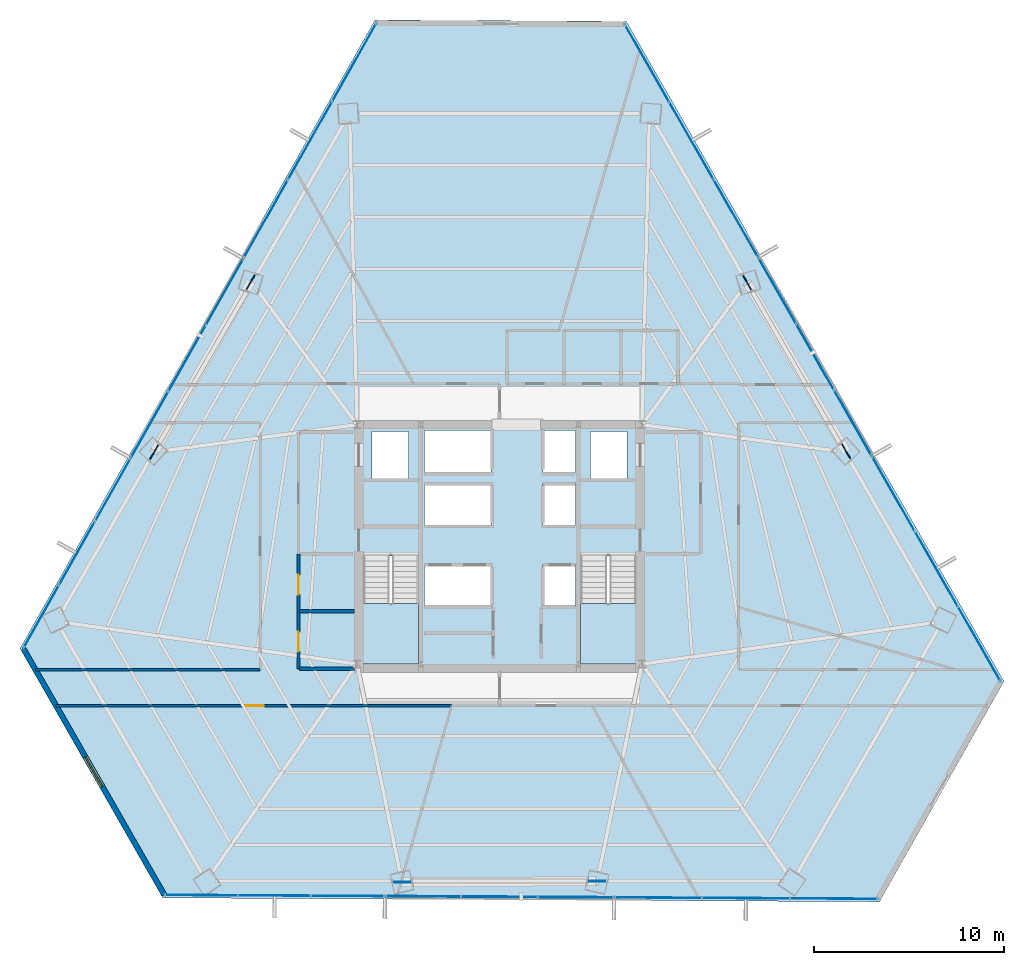
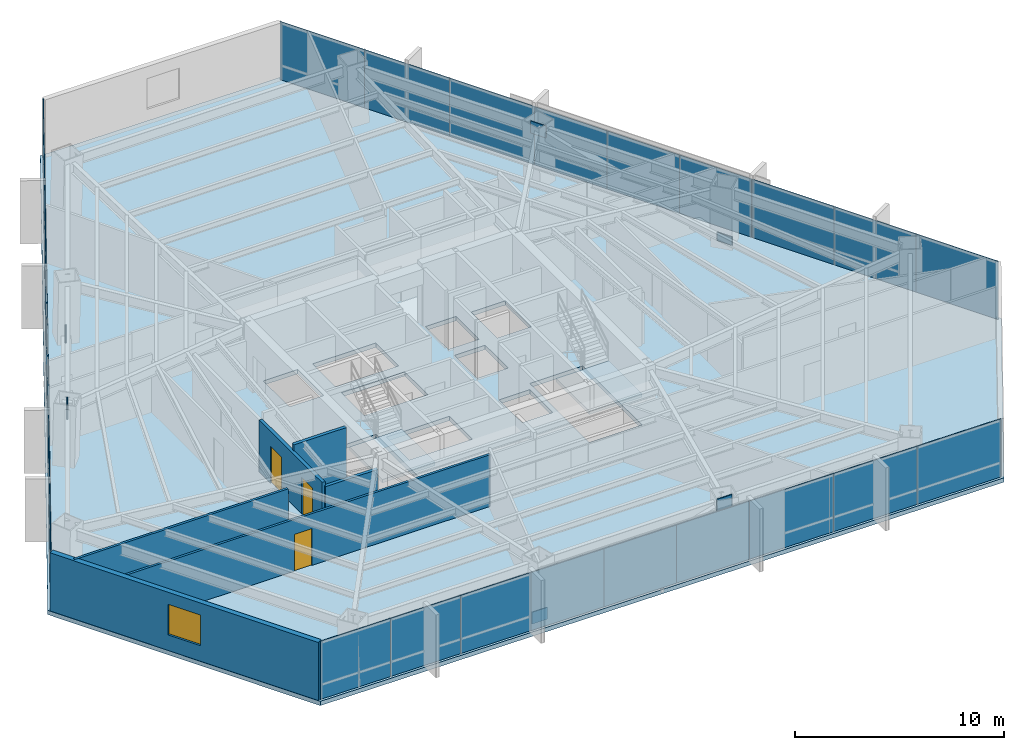
# One storey, part 30 of 36: 33 plates, 6 walls, 3 doors, 3 slabs, 1 window, 4 openings, 11 elements without a shape of their own.
"""IFC4 building model written with IfcOpenShell, lengths in metres."""

import ifcopenshell
import ifcopenshell.guid

model = None  # the IFC model being written
_history = None  # IfcOwnerHistory: only IFC2X3 demands one
_inside = {}  # id of a spatial element -> (the spatial element, [elements in it])
_under = {}  # id of a project, library or spatial element -> (it, [spatial elements below it])
_declared = {}  # id of a project -> (the project, [libraries it declares])
_typed = {}  # id of a type object -> (the type object, [elements of that type])
_made_of = {}  # id of a material, layer set ... -> (it, [elements and type objects made of it])


def new_model(schema):
    """Start an empty IFC model of exactly this schema.

    Asked for "IFC4X3", IfcOpenShell would pick the latest addendum, in which some entities
    have other attributes; the version numbers below select the first issue.
    IFC2X3 requires an IfcOwnerHistory on every rooted entity: one is made here for all.
    """
    global model, _history
    if schema == "IFC4X3":
        model = ifcopenshell.file(schema_version=(4, 3, 0, 0))
    else:
        model = ifcopenshell.file(schema=schema)
    _inside.clear()
    _under.clear()
    _declared.clear()
    _typed.clear()
    _made_of.clear()
    _history = None
    if model.schema == "IFC2X3":
        org = make("IfcOrganization", Name="unknown")
        user = make(
            "IfcPersonAndOrganization",
            ThePerson=make("IfcPerson", FamilyName="unknown"),
            TheOrganization=org,
        )
        app = make(
            "IfcApplication",
            ApplicationDeveloper=org,
            Version="unknown",
            ApplicationFullName="unknown",
            ApplicationIdentifier="unknown",
        )
        _history = make(
            "IfcOwnerHistory",
            OwningUser=user,
            OwningApplication=app,
            ChangeAction="ADDED",
            CreationDate=0,
        )
    return model


def make(cls, **values):
    """One entity of the class cls with the attributes given. An attribute that is None is left unset."""
    return model.create_entity(
        cls, **{name: value for name, value in values.items() if value is not None}
    )


def rooted(cls, **values):
    """An entity with a GlobalId (a new one), such as an element, a storey or a relation."""
    return make(cls, GlobalId=ifcopenshell.guid.new(), OwnerHistory=_history, **values)


def si_unit(unit_type, name, prefix=None):
    """IfcSIUnit, for example si_unit("LENGTHUNIT", "METRE", prefix="MILLI")."""
    return make("IfcSIUnit", UnitType=unit_type, Prefix=prefix, Name=name)


def assignment(units):
    """IfcUnitAssignment: the units of a project."""
    return None if units is None else make("IfcUnitAssignment", Units=units)


def point(xyz):
    """IfcCartesianPoint."""
    return None if xyz is None else make("IfcCartesianPoint", Coordinates=xyz)


def direction(xyz):
    """IfcDirection."""
    return None if xyz is None else make("IfcDirection", DirectionRatios=xyz)


def frame(location, z_axis=None, x_axis=None):
    """IfcAxis2Placement3D, a coordinate frame: its origin and axes. An axis left out is left unset."""
    return make(
        "IfcAxis2Placement3D",
        Location=point(location),
        Axis=direction(z_axis),
        RefDirection=direction(x_axis),
    )


def frame_2d(location, x_axis=None):
    """IfcAxis2Placement2D, a coordinate frame in the plane: its origin and x axis."""
    return make(
        "IfcAxis2Placement2D", Location=point(location), RefDirection=direction(x_axis)
    )


def origin():
    """The frame at (0, 0, 0) with its axes left unset."""
    return frame((0.0, 0.0, 0.0))


def origin_2d():
    """The frame at (0, 0) in the plane with its x axis left unset."""
    return frame_2d((0.0, 0.0))


def place(relative_to, where):
    """IfcLocalPlacement: puts the frame where relative to a parent placement (None: the world)."""
    return make(
        "IfcLocalPlacement", PlacementRelTo=relative_to, RelativePlacement=where
    )


def context(
    kind, dimensions, precision=None, world=None, true_north=None, identifier=None
):
    """IfcGeometricRepresentationContext, for example the 3D "Model" context."""
    return make(
        "IfcGeometricRepresentationContext",
        ContextIdentifier=identifier,
        ContextType=kind,
        CoordinateSpaceDimension=dimensions,
        Precision=precision,
        WorldCoordinateSystem=world,
        TrueNorth=true_north,
    )


def subcontext(parent, identifier, kind, view, scale=None):
    """IfcGeometricRepresentationSubContext, for example "Body" below "Model"."""
    return make(
        "IfcGeometricRepresentationSubContext",
        ContextIdentifier=identifier,
        ContextType=kind,
        ParentContext=parent,
        TargetScale=scale,
        TargetView=view,
    )


def project(units=None, contexts=None):
    """IfcProject with its units and contexts."""
    return rooted(
        "IfcProject",
        Name="project",
        RepresentationContexts=contexts,
        UnitsInContext=assignment(units),
    )


def spatial(cls, under=None, at=None, **own):
    """A site, building, storey or space (cls), placed at a placement, below another one or the project."""
    s = rooted(cls, ObjectPlacement=at, **own)
    if under is not None:
        _under.setdefault(under.id(), (under, []))[1].append(s)
    return s


def polyline(points):
    """IfcPolyline through the points."""
    return make("IfcPolyline", Points=[point(p) for p in points])


def profile(cls, at=None, kind="AREA", **sizes):
    """A parametric profile (cls). Its sizes go by their IFC names, for example OverallWidth=200.0."""
    return make(cls, ProfileType=kind, Position=at, **sizes)


def rectangle(**sizes):
    """IfcRectangleProfileDef."""
    return profile("IfcRectangleProfileDef", **sizes)


def outline(outer, holes=None, kind="AREA"):
    """IfcArbitraryClosedProfileDef: a profile drawn as a closed curve; with holes, ...WithVoids."""
    if holes is None:
        return make("IfcArbitraryClosedProfileDef", ProfileType=kind, OuterCurve=outer)
    return make(
        "IfcArbitraryProfileDefWithVoids",
        ProfileType=kind,
        OuterCurve=outer,
        InnerCurves=holes,
    )


def extrude(swept, where, along, depth):
    """IfcExtrudedAreaSolid: the profile swept, set in the frame where, extruded along a direction by depth."""
    return make(
        "IfcExtrudedAreaSolid",
        SweptArea=swept,
        Position=where,
        ExtrudedDirection=direction(along),
        Depth=depth,
    )


def shape(context_of_items, identifier, shape_type, items):
    """IfcShapeRepresentation: the items that make up one representation, for example the "Body"."""
    return make(
        "IfcShapeRepresentation",
        ContextOfItems=context_of_items,
        RepresentationIdentifier=identifier,
        RepresentationType=shape_type,
        Items=items,
    )


def source(mapping_origin, context_of_items, identifier, shape_type, items):
    """IfcRepresentationMap: a shape defined once, which mapped items show again and again."""
    return make(
        "IfcRepresentationMap",
        MappingOrigin=mapping_origin,
        MappedRepresentation=shape(context_of_items, identifier, shape_type, items),
    )


def transform(
    local_origin,
    x_axis=None,
    y_axis=None,
    z_axis=None,
    scale=None,
    scale2=None,
    scale3=None,
    uniform=True,
):
    """IfcCartesianTransformationOperator3D, or its non-uniform kind. x_axis, y_axis, z_axis: its Axis1, 2, 3."""
    if uniform:
        return make(
            "IfcCartesianTransformationOperator3D",
            Axis1=direction(x_axis),
            Axis2=direction(y_axis),
            LocalOrigin=point(local_origin),
            Scale=scale,
            Axis3=direction(z_axis),
        )
    return make(
        "IfcCartesianTransformationOperator3DnonUniform",
        Axis1=direction(x_axis),
        Axis2=direction(y_axis),
        LocalOrigin=point(local_origin),
        Scale=scale,
        Axis3=direction(z_axis),
        Scale2=scale2,
        Scale3=scale3,
    )


def mapped(mapping_source, mapping_target):
    """IfcMappedItem: shows the shape of a source again, moved by a transform."""
    return make(
        "IfcMappedItem", MappingSource=mapping_source, MappingTarget=mapping_target
    )


def material(Name=None, Category=None):
    """IfcMaterial."""
    return make("IfcMaterial", Name=Name, Category=Category)


def layer(
    of_material, thickness, ventilated=None, Name=None, Category=None, Priority=None
):
    """IfcMaterialLayer: one layer of a wall or slab, of a material (None: an air gap)."""
    return make(
        "IfcMaterialLayer",
        Material=of_material,
        LayerThickness=thickness,
        IsVentilated=ventilated,
        Name=Name,
        Category=Category,
        Priority=Priority,
    )


def layer_set(layers, Name=None):
    """IfcMaterialLayerSet."""
    return make("IfcMaterialLayerSet", MaterialLayers=layers, LayerSetName=Name)


def made_of(thing, what):
    """Note that an element or type object is made of a material, layer set ...; save() writes the relation."""
    if what is not None:
        _made_of.setdefault(what.id(), (what, []))[1].append(thing)
    return thing


def type_object(cls, material=None, **own):
    """A type object (cls), such as IfcWallType, which elements share."""
    return made_of(rooted(cls, **own), material)


def type_shapes(of_type, sources):
    """Give a type object the sources (RepresentationMaps) that its elements show as mapped items."""
    of_type.RepresentationMaps = sources


def element(
    cls,
    number,
    at=None,
    inside=None,
    cuts=None,
    type_object=None,
    material=None,
    context=None,
    identifier="Body",
    shape_type=None,
    held_by="IfcProductDefinitionShape",
    body=None,
    shapes=None,
    **own,
):
    """One element of the class cls, such as IfcWall. Its Tag is "e" and its number.

    at: its placement. inside: the storey or other place that contains it. cuts: it is an
    opening in that element (IfcRelVoidsElement). A single representation is given by context,
    identifier, shape_type and body (its items); several are given by shapes. held_by: the class
    of the entity that holds the representations. save() writes the other relations.
    """
    e = rooted(cls, Tag="e%d" % number, ObjectPlacement=at, **own)
    if body is not None:
        shapes = [shape(context, identifier, shape_type, body)]
    if shapes is not None:
        e.Representation = make(held_by, Representations=shapes)
    if inside is not None:
        _inside.setdefault(inside.id(), (inside, []))[1].append(e)
    if cuts is not None:
        rooted(
            "IfcRelVoidsElement", RelatingBuildingElement=cuts, RelatedOpeningElement=e
        )
    if type_object is not None:
        _typed.setdefault(type_object.id(), (type_object, []))[1].append(e)
    return made_of(e, material)


def fill(opening, filler):
    """IfcRelFillsElement: the door or window that sits in an opening."""
    return rooted(
        "IfcRelFillsElement",
        RelatingOpeningElement=opening,
        RelatedBuildingElement=filler,
    )


def aggregate(whole, parts):
    """IfcRelAggregates: a whole, such as a stair, and the parts it consists of."""
    return rooted("IfcRelAggregates", RelatingObject=whole, RelatedObjects=parts)


def save(model, path):
    """Write the relations noted so far, then the file.

    IfcRelAggregates (storeys below a building ...), IfcRelContainedInSpatialStructure (elements
    in a storey), IfcRelDefinesByType, IfcRelAssociatesMaterial and IfcRelDeclares: one each for
    every whole, place, type object, material and project.
    """
    for whole, parts in _under.values():
        aggregate(whole, parts)
    for where, things in _inside.values():
        rooted(
            "IfcRelContainedInSpatialStructure",
            RelatedElements=things,
            RelatingStructure=where,
        )
    for kind, things in _typed.values():
        rooted("IfcRelDefinesByType", RelatedObjects=things, RelatingType=kind)
    for what, things in _made_of.values():
        rooted("IfcRelAssociatesMaterial", RelatedObjects=things, RelatingMaterial=what)
    for by, libraries in _declared.values():
        rooted("IfcRelDeclares", RelatingContext=by, RelatedDefinitions=libraries)
    model.write(path)


model = new_model("IFC4")

# Units and contexts
model_context = context("Model", 3, precision=1e-05, world=origin(), true_north=direction((0.0, 1.0)))
body_context = subcontext(model_context, "Body", "Model", "MODEL_VIEW")
ifc_project = project(units=[si_unit("LENGTHUNIT", "METRE"), si_unit("AREAUNIT", "SQUARE_METRE"), si_unit("VOLUMEUNIT", "CUBIC_METRE"), si_unit("PLANEANGLEUNIT", "RADIAN"), si_unit("MASSUNIT", "GRAM", prefix="KILO")], contexts=[model_context])

# Site, building, storey
site_placement = place(None, origin())
site = spatial("IfcSite", under=ifc_project, at=site_placement, CompositionType="ELEMENT")
building_placement = place(site_placement, origin())
building = spatial("IfcBuilding", under=site, at=building_placement, Name="Caelisora Broadcast Tower", CompositionType="ELEMENT")
storey_placement = place(building_placement, frame((0.0, 0.0, 83.5)))
storey = spatial("IfcBuildingStorey", under=building, at=storey_placement, Name="L21", CompositionType="ELEMENT", Elevation=83.5)

# Slab
ifc_material_1 = material(Name="Concrete 40 MPa (AS 3600 N40)", Category="concrete")
ifc_layer_1 = layer(ifc_material_1, 0.25, Name="Concrete 40 MPa (AS 3600 N40)")
ifc_layer_set_1 = layer_set([ifc_layer_1], Name="Concrete 40 MPa (AS 3600 N40)")
slab_type_1 = type_object("IfcSlabType", Name="SL04", PredefinedType="FLOOR", material=ifc_layer_set_1)
slab_1_placement = place(storey_placement, frame((0.0, 0.0, -0.25)))
element("IfcSlab", 1, at=slab_1_placement, inside=storey, type_object=slab_type_1, Name="L21 suspended floor SL04", PredefinedType="FLOOR", context=body_context, shape_type="SweptSolid", body=[
    extrude(outline(polyline([(44.678955078125, 51.222900390625), (31.446044921875, 51.2958984375), (12.762939453125, 18.219970703125), (20.27294921875, 5.093994140625), (57.99609375, 4.886962890625), (64.550048828125, 16.489990234375), (44.678955078125, 51.222900390625)]), holes=[polyline([(30.820068359375, 17.39990234375), (33.739990234375, 17.39990234375), (33.739990234375, 23.080078125), (30.820068359375, 23.080078125), (30.820068359375, 17.39990234375)]), polyline([(42.260009765625, 17.39990234375), (45.179931640625, 17.39990234375), (45.179931640625, 23.080078125), (42.260009765625, 23.080078125), (42.260009765625, 17.39990234375)]), polyline([(42.800048828125, 27.14990234375), (44.699951171875, 27.14990234375), (44.699951171875, 29.64990234375), (42.800048828125, 29.64990234375), (42.800048828125, 27.14990234375)]), polyline([(40.300048828125, 20.429931640625), (42.0, 20.429931640625), (42.0, 22.6298828125), (40.300048828125, 22.6298828125), (40.300048828125, 20.429931640625)]), polyline([(40.300048828125, 24.719970703125), (42.0, 24.719970703125), (42.0, 26.919921875), (40.300048828125, 26.919921875), (40.300048828125, 24.719970703125)]), polyline([(40.300048828125, 27.5), (42.0, 27.5), (42.0, 29.699951171875), (40.300048828125, 29.699951171875), (40.300048828125, 27.5)]), polyline([(34.050048828125, 20.429931640625), (37.550048828125, 20.429931640625), (37.550048828125, 22.6298828125), (34.050048828125, 22.6298828125), (34.050048828125, 20.429931640625)]), polyline([(34.050048828125, 24.719970703125), (37.550048828125, 24.719970703125), (37.550048828125, 26.919921875), (34.050048828125, 26.919921875), (34.050048828125, 24.719970703125)]), polyline([(34.050048828125, 27.5), (37.550048828125, 27.5), (37.550048828125, 29.699951171875), (34.050048828125, 29.699951171875), (34.050048828125, 27.5)]), polyline([(31.300048828125, 27.14990234375), (33.199951171875, 27.14990234375), (33.199951171875, 29.64990234375), (31.300048828125, 29.64990234375), (31.300048828125, 27.14990234375)])]), origin(), (0.0, 0.0, 1.0), 0.25),
])

# Stair, slab
stair_type_1 = type_object("IfcStairType", Name="ST-1", PredefinedType="HALF_TURN_STAIR", material=ifc_material_1)
stair_1_placement = place(storey_placement, origin())
stair_1 = element("IfcStair", 2, at=stair_1_placement, inside=storey, type_object=stair_type_1, Name="L21 West Fire-Isolated Tower Stair", PredefinedType="HALF_TURN_STAIR")
ifc_layer_2 = layer(ifc_material_1, 0.199951171875, Name="Concrete 40 MPa (AS 3600 N40)")
ifc_layer_set_2 = layer_set([ifc_layer_2], Name="Concrete 40 MPa (AS 3600 N40)")
slab_type_2 = type_object("IfcSlabType", Name="STL-1", PredefinedType="LANDING", material=ifc_layer_set_2)
slab_2_placement = place(storey_placement, frame((0.0, 0.0, 1.625)))
slab_2 = element("IfcSlab", 3, at=slab_2_placement, type_object=slab_type_2, Name="ST-1 landing 1", PredefinedType="LANDING", context=body_context, shape_type="SweptSolid", body=[
    extrude(outline(polyline([(30.820068359375, 20.580078125), (30.820068359375, 17.39990234375), (33.739990234375, 17.39990234375), (33.739990234375, 20.580078125), (30.820068359375, 20.580078125)])), origin(), (0.0, 0.0, 1.0), 0.199951171875),
])
aggregate(stair_1, [slab_2])

stair_type_2 = type_object("IfcStairType", Name="ST-2", PredefinedType="HALF_TURN_STAIR", material=ifc_material_1)
stair_2_placement = place(storey_placement, origin())
stair_2 = element("IfcStair", 4, at=stair_2_placement, inside=storey, type_object=stair_type_2, Name="L21 East Fire-Isolated Tower Stair", PredefinedType="HALF_TURN_STAIR")
slab_3_placement = place(storey_placement, frame((0.0, 0.0, 1.625)))
slab_3 = element("IfcSlab", 5, at=slab_3_placement, type_object=slab_type_2, Name="ST-2 landing 1", PredefinedType="LANDING", context=body_context, shape_type="SweptSolid", body=[
    extrude(outline(polyline([(42.260009765625, 20.580078125), (42.260009765625, 17.39990234375), (45.179931640625, 17.39990234375), (45.179931640625, 20.580078125), (42.260009765625, 20.580078125)])), origin(), (0.0, 0.0, 1.0), 0.199951171875),
])
aggregate(stair_2, [slab_3])

# Plates
ifc_material_2 = material(Name="Steel Grade 350 L15 (AS/NZS 3678)", Category="steel")
ifc_layer_3 = layer(ifc_material_2, 0.050048828125, Name="Steel Grade 350 L15 (AS/NZS 3678)")
ifc_layer_set_3 = layer_set([ifc_layer_3], Name="Steel Grade 350 L15 (AS/NZS 3678)")
plate_type_1 = type_object("IfcPlateType", Name="GP03", PredefinedType="USERDEFINED", material=ifc_layer_set_3)
shared_shape_1 = source(origin(), body_context, "Body", "SweptSolid", [
    extrude(rectangle(XDim=0.85009765625, YDim=0.050048828125, at=origin_2d()), origin(), (0.0, 0.0, 1.0), 0.699951171875),
])
type_shapes(plate_type_1, [shared_shape_1])
for number, where, z_axis, x_axis, name in (
    (6, (24.8955078125, 37.48779296875, -0.22998046875), (0.0, 0.0, 1.0), (-0.5, -0.866025403784, 0.0), "L21 gusset plate GP03 (ND-L21-C02B)"),
    (7, (19.8212890625, 28.5546875, 2.72998046875), (0.0, 0.0, 1.0), (-0.5, -0.866025403784, 0.0), "L21 gusset plate GP03 (ND-L21-C03T)"),
    (8, (32.87158203125, 5.9072265625, -0.22998046875), (0.0, 0.0, 1.0), (1.0, 0.0, 0.0), "L21 gusset plate GP03 (ND-L21-C06B)"),
    (9, (43.144775390625, 5.9794921875, 2.72998046875), (0.0, 0.0, 1.0), (1.0, 0.0, 0.0), "L21 gusset plate GP03 (ND-L21-C07T)"),
    (10, (56.23291015625, 28.60498046875, -0.22998046875), (0.0, 0.0, 1.0), (-0.5, 0.866025403784, 0.0), "L21 gusset plate GP03 (ND-L21-C10B)"),
    (11, (51.03369140625, 37.4658203125, 2.72998046875), (0.0, 0.0, 1.0), (-0.5, 0.866025403784, 0.0), "L21 gusset plate GP03 (ND-L21-C11T)"),
):
    element("IfcPlate", number, at=place(storey_placement, frame(where, z_axis=z_axis, x_axis=x_axis)), inside=storey, type_object=plate_type_1, Name=name, ObjectType="GUSSET PLATE", PredefinedType="USERDEFINED", context=body_context, shape_type="MappedRepresentation", body=[
        mapped(shared_shape_1, transform((0.0, 0.0, 0.0), scale=1.0)),
    ])

# Curtain wall, plates
ifc_material_3 = material(Name="Unitised Aluminium and Low-E Glass Curtain Wall", Category="glass")
curtain_wall_type_1 = type_object("IfcCurtainWallType", Name="CW-Z2", PredefinedType="NOTDEFINED", material=ifc_material_3)
curtain_wall_1_placement = place(storey_placement, origin())
curtain_wall_1 = element("IfcCurtainWall", 12, at=curtain_wall_1_placement, inside=storey, type_object=curtain_wall_type_1, Name="L21 curtain wall CW-Z2", PredefinedType="NOTDEFINED")
ifc_material_4 = material(Name="Double Glazed Low-E Argon IGU", Category="glass")
ifc_layer_4 = layer(ifc_material_4, 0.033935546875, Name="Double Glazed Low-E Argon IGU")
ifc_layer_set_4 = layer_set([ifc_layer_4], Name="Double Glazed Low-E Argon IGU")
plate_type_2 = type_object("IfcPlateType", Name="CWP-03", PredefinedType="CURTAIN_PANEL", material=ifc_layer_set_4)
shared_shape_2 = source(origin(), body_context, "Body", "SweptSolid", [
    extrude(rectangle(XDim=4.70703125, YDim=0.033935546875, at=origin_2d()), origin(), (0.0, 0.0, 1.0), 3.39990234375),
])
plate_1_placement = place(storey_placement, frame((45.7607421875, 49.0302734375, 0.0), z_axis=(0.0, 0.0, 1.0), x_axis=(0.496519531995, -0.868025549363, 0.0)))
plate_1 = element("IfcPlate", 13, at=plate_1_placement, type_object=plate_type_2, Name="L21-CW-B01 glazed panel #1", PredefinedType="CURTAIN_PANEL", context=body_context, shape_type="MappedRepresentation", body=[
    mapped(shared_shape_2, transform((0.0, 0.0, 0.0), scale=1.0)),
])
plate_2_placement = place(storey_placement, frame((48.09814453125, 44.944580078125, 0.0), z_axis=(0.0, 0.0, 1.0), x_axis=(0.496519531995, -0.868025549363, 0.0)))
plate_2 = element("IfcPlate", 14, at=plate_2_placement, type_object=plate_type_2, Name="L21-CW-B01 glazed panel #2", PredefinedType="CURTAIN_PANEL", context=body_context, shape_type="MappedRepresentation", body=[
    mapped(shared_shape_2, transform((0.0, 0.0, 0.0), scale=1.0)),
])
plate_3_placement = place(storey_placement, frame((50.435546875, 40.85888671875, 0.0), z_axis=(0.0, 0.0, 1.0), x_axis=(0.496519531995, -0.868025549363, 0.0)))
plate_3 = element("IfcPlate", 15, at=plate_3_placement, type_object=plate_type_2, Name="L21-CW-B01 glazed panel #3", PredefinedType="CURTAIN_PANEL", context=body_context, shape_type="MappedRepresentation", body=[
    mapped(shared_shape_2, transform((0.0, 0.0, 0.0), scale=1.0)),
])
aggregate(curtain_wall_1, [plate_1, plate_2, plate_3])

ifc_material_5 = material(Name="Unitised Aluminium Insulated Shadow-Box Spandrel Curtain Wall", Category="aluminium")
curtain_wall_type_2 = type_object("IfcCurtainWallType", Name="CW-SP1", PredefinedType="NOTDEFINED", material=ifc_material_5)
curtain_wall_2_placement = place(storey_placement, origin())
curtain_wall_2 = element("IfcCurtainWall", 16, at=curtain_wall_2_placement, inside=storey, type_object=curtain_wall_type_2, Name="L21 curtain wall CW-SP1", PredefinedType="NOTDEFINED")
ifc_material_6 = material(Name="Insulated Terracotta Shadow-Box Spandrel Panel", Category="aluminium")
ifc_layer_5 = layer(ifc_material_6, 0.0439453125, Name="Insulated Terracotta Shadow-Box Spandrel Panel")
ifc_layer_set_5 = layer_set([ifc_layer_5], Name="Insulated Terracotta Shadow-Box Spandrel Panel")
plate_type_3 = type_object("IfcPlateType", Name="CWP-10", PredefinedType="CURTAIN_PANEL", material=ifc_layer_set_5)
shared_shape_3 = source(origin(), body_context, "Body", "SweptSolid", [
    extrude(rectangle(XDim=4.015625, YDim=0.0439453125, at=origin_2d()), origin(), (0.0, 0.0, 1.0), 3.39990234375),
])
plate_4_placement = place(storey_placement, frame((52.606201171875, 37.064697265625, 0.0), z_axis=(0.0, 0.0, 1.0), x_axis=(0.496519531995, -0.868025549363, 0.0)))
plate_4 = element("IfcPlate", 17, at=plate_4_placement, type_object=plate_type_3, Name="L21-CW-B02 spandrel panel #1", PredefinedType="CURTAIN_PANEL", context=body_context, shape_type="MappedRepresentation", body=[
    mapped(shared_shape_3, transform((0.0, 0.0, 0.0), scale=1.0)),
])
plate_5_placement = place(storey_placement, frame((54.60009765625, 33.579345703125, 0.0), z_axis=(0.0, 0.0, 1.0), x_axis=(0.496519531995, -0.868025549363, 0.0)))
plate_5 = element("IfcPlate", 18, at=plate_5_placement, type_object=plate_type_3, Name="L21-CW-B02 spandrel panel #2", PredefinedType="CURTAIN_PANEL", context=body_context, shape_type="MappedRepresentation", body=[
    mapped(shared_shape_3, transform((0.0, 0.0, 0.0), scale=1.0)),
])
plate_6_placement = place(storey_placement, frame((56.59423828125, 30.09375, 0.0), z_axis=(0.0, 0.0, 1.0), x_axis=(0.496519531995, -0.868025549363, 0.0)))
plate_6 = element("IfcPlate", 19, at=plate_6_placement, type_object=plate_type_3, Name="L21-CW-B02 spandrel panel #3", PredefinedType="CURTAIN_PANEL", context=body_context, shape_type="MappedRepresentation", body=[
    mapped(shared_shape_3, transform((0.0, 0.0, 0.0), scale=1.0)),
])
aggregate(curtain_wall_2, [plate_4, plate_5, plate_6])

curtain_wall_3_placement = place(storey_placement, origin())
curtain_wall_3 = element("IfcCurtainWall", 20, at=curtain_wall_3_placement, inside=storey, type_object=curtain_wall_type_1, Name="L21 curtain wall CW-Z2", PredefinedType="NOTDEFINED")
shared_shape_4 = source(origin(), body_context, "Body", "SweptSolid", [
    extrude(rectangle(XDim=4.551513671875, YDim=0.033935546875, at=origin_2d()), origin(), (0.0, 0.0, 1.0), 3.39990234375),
])
plate_7_placement = place(storey_placement, frame((58.726318359375, 26.366943359375, 0.0), z_axis=(0.0, 0.0, 1.0), x_axis=(0.496519531995, -0.868025549363, 0.0)))
plate_7 = element("IfcPlate", 21, at=plate_7_placement, type_object=plate_type_2, Name="L21-CW-B03 glazed panel #1", PredefinedType="CURTAIN_PANEL", context=body_context, shape_type="MappedRepresentation", body=[
    mapped(shared_shape_4, transform((0.0, 0.0, 0.0), scale=1.0)),
])
plate_8_placement = place(storey_placement, frame((60.986572265625, 22.416259765625, 0.0), z_axis=(0.0, 0.0, 1.0), x_axis=(0.496519531995, -0.868025549363, 0.0)))
plate_8 = element("IfcPlate", 22, at=plate_8_placement, type_object=plate_type_2, Name="L21-CW-B03 glazed panel #2", PredefinedType="CURTAIN_PANEL", context=body_context, shape_type="MappedRepresentation", body=[
    mapped(shared_shape_4, transform((0.0, 0.0, 0.0), scale=1.0)),
])
plate_9_placement = place(storey_placement, frame((63.246826171875, 18.46533203125, 0.0), z_axis=(0.0, 0.0, 1.0), x_axis=(0.496519531995, -0.868025549363, 0.0)))
plate_9 = element("IfcPlate", 23, at=plate_9_placement, type_object=plate_type_2, Name="L21-CW-B03 glazed panel #3", PredefinedType="CURTAIN_PANEL", context=body_context, shape_type="MappedRepresentation", body=[
    mapped(shared_shape_4, transform((0.0, 0.0, 0.0), scale=1.0)),
])
aggregate(curtain_wall_3, [plate_7, plate_8, plate_9])

curtain_wall_4_placement = place(storey_placement, origin())
curtain_wall_4 = element("IfcCurtainWall", 24, at=curtain_wall_4_placement, inside=storey, type_object=curtain_wall_type_1, Name="L21 curtain wall CW-Z2", PredefinedType="NOTDEFINED")
shared_shape_5 = source(origin(), body_context, "Body", "SweptSolid", [
    extrude(rectangle(XDim=4.626708984375, YDim=0.033935546875, at=origin_2d()), origin(), (0.0, 0.0, 1.0), 3.39990234375),
])
plate_10_placement = place(storey_placement, frame((55.595703125, 5.0498046875, 0.0), z_axis=(0.0, 0.0, 1.0), x_axis=(-0.999984403629, 0.005585024571, 0.0)))
plate_10 = element("IfcPlate", 25, at=plate_10_placement, type_object=plate_type_2, Name="L21-CW-B05 glazed panel #1", PredefinedType="CURTAIN_PANEL", context=body_context, shape_type="MappedRepresentation", body=[
    mapped(shared_shape_5, transform((0.0, 0.0, 0.0), scale=1.0)),
])
plate_11_placement = place(storey_placement, frame((50.968994140625, 5.0751953125, 0.0), z_axis=(0.0, 0.0, 1.0), x_axis=(-0.999984403629, 0.005585024571, 0.0)))
plate_11 = element("IfcPlate", 26, at=plate_11_placement, type_object=plate_type_2, Name="L21-CW-B05 glazed panel #2", PredefinedType="CURTAIN_PANEL", context=body_context, shape_type="MappedRepresentation", body=[
    mapped(shared_shape_5, transform((0.0, 0.0, 0.0), scale=1.0)),
])
plate_12_placement = place(storey_placement, frame((46.34228515625, 5.100830078125, 0.0), z_axis=(0.0, 0.0, 1.0), x_axis=(-0.999984403629, 0.005585024571, 0.0)))
plate_12 = element("IfcPlate", 27, at=plate_12_placement, type_object=plate_type_2, Name="L21-CW-B05 glazed panel #3", PredefinedType="CURTAIN_PANEL", context=body_context, shape_type="MappedRepresentation", body=[
    mapped(shared_shape_5, transform((0.0, 0.0, 0.0), scale=1.0)),
])
aggregate(curtain_wall_4, [plate_10, plate_11, plate_12])

curtain_wall_5_placement = place(storey_placement, origin())
curtain_wall_5 = element("IfcCurtainWall", 28, at=curtain_wall_5_placement, inside=storey, type_object=curtain_wall_type_2, Name="L21 curtain wall CW-SP1", PredefinedType="NOTDEFINED")
shared_shape_6 = source(origin(), body_context, "Body", "SweptSolid", [
    extrude(rectangle(XDim=4.015380859375, YDim=0.0439453125, at=origin_2d()), origin(), (0.0, 0.0, 1.0), 3.39990234375),
])
type_shapes(plate_type_3, [shared_shape_3, shared_shape_6])
plate_13_placement = place(storey_placement, frame((42.01123046875, 5.12451171875, 0.0), z_axis=(0.0, 0.0, 1.0), x_axis=(-0.999984403629, 0.005585024571, 0.0)))
plate_13 = element("IfcPlate", 29, at=plate_13_placement, type_object=plate_type_3, Name="L21-CW-B06 spandrel panel #1", PredefinedType="CURTAIN_PANEL", context=body_context, shape_type="MappedRepresentation", body=[
    mapped(shared_shape_6, transform((0.0, 0.0, 0.0), scale=1.0)),
])
plate_14_placement = place(storey_placement, frame((37.995849609375, 5.146728515625, 0.0), z_axis=(0.0, 0.0, 1.0), x_axis=(-0.999984403629, 0.005585024571, 0.0)))
plate_14 = element("IfcPlate", 30, at=plate_14_placement, type_object=plate_type_3, Name="L21-CW-B06 spandrel panel #2", PredefinedType="CURTAIN_PANEL", context=body_context, shape_type="MappedRepresentation", body=[
    mapped(shared_shape_6, transform((0.0, 0.0, 0.0), scale=1.0)),
])
plate_15_placement = place(storey_placement, frame((33.980224609375, 5.1689453125, 0.0), z_axis=(0.0, 0.0, 1.0), x_axis=(-0.999984403629, 0.005585024571, 0.0)))
plate_15 = element("IfcPlate", 31, at=plate_15_placement, type_object=plate_type_3, Name="L21-CW-B06 spandrel panel #3", PredefinedType="CURTAIN_PANEL", context=body_context, shape_type="MappedRepresentation", body=[
    mapped(shared_shape_6, transform((0.0, 0.0, 0.0), scale=1.0)),
])
aggregate(curtain_wall_5, [plate_13, plate_14, plate_15])

curtain_wall_6_placement = place(storey_placement, origin())
curtain_wall_6 = element("IfcCurtainWall", 32, at=curtain_wall_6_placement, inside=storey, type_object=curtain_wall_type_2, Name="L21 curtain wall CW-SP1", PredefinedType="NOTDEFINED")
plate_16_placement = place(storey_placement, frame((19.582275390625, 29.9873046875, 0.0), z_axis=(0.0, 0.0, 1.0), x_axis=(0.49181581725, 0.870699260309, 0.0)))
plate_16 = element("IfcPlate", 33, at=plate_16_placement, type_object=plate_type_3, Name="L21-CW-B10 spandrel panel #1", PredefinedType="CURTAIN_PANEL", context=body_context, shape_type="MappedRepresentation", body=[
    mapped(shared_shape_6, transform((0.0, 0.0, 0.0), scale=1.0)),
])
plate_17_placement = place(storey_placement, frame((21.55712890625, 33.483642578125, 0.0), z_axis=(0.0, 0.0, 1.0), x_axis=(0.49181581725, 0.870699260309, 0.0)))
plate_17 = element("IfcPlate", 34, at=plate_17_placement, type_object=plate_type_3, Name="L21-CW-B10 spandrel panel #2", PredefinedType="CURTAIN_PANEL", context=body_context, shape_type="MappedRepresentation", body=[
    mapped(shared_shape_6, transform((0.0, 0.0, 0.0), scale=1.0)),
])
plate_18_placement = place(storey_placement, frame((23.53173828125, 36.97998046875, 0.0), z_axis=(0.0, 0.0, 1.0), x_axis=(0.49181581725, 0.870699260309, 0.0)))
plate_18 = element("IfcPlate", 35, at=plate_18_placement, type_object=plate_type_3, Name="L21-CW-B10 spandrel panel #3", PredefinedType="CURTAIN_PANEL", context=body_context, shape_type="MappedRepresentation", body=[
    mapped(shared_shape_6, transform((0.0, 0.0, 0.0), scale=1.0)),
])
aggregate(curtain_wall_6, [plate_16, plate_17, plate_18])

curtain_wall_7_placement = place(storey_placement, origin())
curtain_wall_7 = element("IfcCurtainWall", 36, at=curtain_wall_7_placement, inside=storey, type_object=curtain_wall_type_1, Name="L21 curtain wall CW-Z2", PredefinedType="NOTDEFINED")
shared_shape_7 = source(origin(), body_context, "Body", "SweptSolid", [
    extrude(rectangle(XDim=3.86767578125, YDim=0.033935546875, at=origin_2d()), origin(), (0.0, 0.0, 1.0), 3.39990234375),
])
plate_19_placement = place(storey_placement, frame((30.02880859375, 5.190673828125, 0.0), z_axis=(0.0, 0.0, 1.0), x_axis=(-0.999984403629, 0.005585024571, 0.0)))
plate_19 = element("IfcPlate", 37, at=plate_19_placement, type_object=plate_type_2, Name="L21-CW-B07 glazed panel #1", PredefinedType="CURTAIN_PANEL", context=body_context, shape_type="MappedRepresentation", body=[
    mapped(shared_shape_7, transform((0.0, 0.0, 0.0), scale=1.0)),
])
plate_20_placement = place(storey_placement, frame((26.161376953125, 5.2119140625, 0.0), z_axis=(0.0, 0.0, 1.0), x_axis=(-0.999984403629, 0.005585024571, 0.0)))
plate_20 = element("IfcPlate", 38, at=plate_20_placement, type_object=plate_type_2, Name="L21-CW-B07 glazed panel #2", PredefinedType="CURTAIN_PANEL", context=body_context, shape_type="MappedRepresentation", body=[
    mapped(shared_shape_7, transform((0.0, 0.0, 0.0), scale=1.0)),
])
plate_21_placement = place(storey_placement, frame((22.293701171875, 5.2333984375, 0.0), z_axis=(0.0, 0.0, 1.0), x_axis=(-0.999984403629, 0.005585024571, 0.0)))
plate_21 = element("IfcPlate", 39, at=plate_21_placement, type_object=plate_type_2, Name="L21-CW-B07 glazed panel #3", PredefinedType="CURTAIN_PANEL", context=body_context, shape_type="MappedRepresentation", body=[
    mapped(shared_shape_7, transform((0.0, 0.0, 0.0), scale=1.0)),
])
aggregate(curtain_wall_7, [plate_19, plate_20, plate_21])

curtain_wall_8_placement = place(storey_placement, origin())
curtain_wall_8 = element("IfcCurtainWall", 40, at=curtain_wall_8_placement, inside=storey, type_object=curtain_wall_type_1, Name="L21 curtain wall CW-Z2", PredefinedType="NOTDEFINED")
shared_shape_8 = source(origin(), body_context, "Body", "SweptSolid", [
    extrude(rectangle(XDim=3.832275390625, YDim=0.033935546875, at=origin_2d()), origin(), (0.0, 0.0, 1.0), 3.39990234375),
])
plate_22_placement = place(storey_placement, frame((13.87841796875, 19.888427734375, 0.0), z_axis=(0.0, 0.0, 1.0), x_axis=(0.49181581725, 0.870699260309, 0.0)))
plate_22 = element("IfcPlate", 41, at=plate_22_placement, type_object=plate_type_2, Name="L21-CW-B09 glazed panel #1", PredefinedType="CURTAIN_PANEL", context=body_context, shape_type="MappedRepresentation", body=[
    mapped(shared_shape_8, transform((0.0, 0.0, 0.0), scale=1.0)),
])
plate_23_placement = place(storey_placement, frame((15.762939453125, 23.22509765625, 0.0), z_axis=(0.0, 0.0, 1.0), x_axis=(0.49181581725, 0.870699260309, 0.0)))
plate_23 = element("IfcPlate", 42, at=plate_23_placement, type_object=plate_type_2, Name="L21-CW-B09 glazed panel #2", PredefinedType="CURTAIN_PANEL", context=body_context, shape_type="MappedRepresentation", body=[
    mapped(shared_shape_8, transform((0.0, 0.0, 0.0), scale=1.0)),
])
plate_24_placement = place(storey_placement, frame((17.647705078125, 26.56201171875, 0.0), z_axis=(0.0, 0.0, 1.0), x_axis=(0.49181581725, 0.870699260309, 0.0)))
plate_24 = element("IfcPlate", 43, at=plate_24_placement, type_object=plate_type_2, Name="L21-CW-B09 glazed panel #3", PredefinedType="CURTAIN_PANEL", context=body_context, shape_type="MappedRepresentation", body=[
    mapped(shared_shape_8, transform((0.0, 0.0, 0.0), scale=1.0)),
])
aggregate(curtain_wall_8, [plate_22, plate_23, plate_24])

curtain_wall_9_placement = place(storey_placement, origin())
curtain_wall_9 = element("IfcCurtainWall", 44, at=curtain_wall_9_placement, inside=storey, type_object=curtain_wall_type_1, Name="L21 curtain wall CW-Z2", PredefinedType="NOTDEFINED")
shared_shape_9 = source(origin(), body_context, "Body", "SweptSolid", [
    extrude(rectangle(XDim=4.75048828125, YDim=0.033935546875, at=origin_2d()), origin(), (0.0, 0.0, 1.0), 3.39990234375),
])
type_shapes(plate_type_2, [shared_shape_2, shared_shape_4, shared_shape_5, shared_shape_7, shared_shape_8, shared_shape_9])
plate_25_placement = place(storey_placement, frame((25.6923828125, 40.804931640625, 0.0), z_axis=(0.0, 0.0, 1.0), x_axis=(0.49181581725, 0.870699260309, 0.0)))
plate_25 = element("IfcPlate", 45, at=plate_25_placement, type_object=plate_type_2, Name="L21-CW-B11 glazed panel #1", PredefinedType="CURTAIN_PANEL", context=body_context, shape_type="MappedRepresentation", body=[
    mapped(shared_shape_9, transform((0.0, 0.0, 0.0), scale=1.0)),
])
plate_26_placement = place(storey_placement, frame((28.028564453125, 44.94140625, 0.0), z_axis=(0.0, 0.0, 1.0), x_axis=(0.49181581725, 0.870699260309, 0.0)))
plate_26 = element("IfcPlate", 46, at=plate_26_placement, type_object=plate_type_2, Name="L21-CW-B11 glazed panel #2", PredefinedType="CURTAIN_PANEL", context=body_context, shape_type="MappedRepresentation", body=[
    mapped(shared_shape_9, transform((0.0, 0.0, 0.0), scale=1.0)),
])
plate_27_placement = place(storey_placement, frame((30.364990234375, 49.077880859375, 0.0), z_axis=(0.0, 0.0, 1.0), x_axis=(0.49181581725, 0.870699260309, 0.0)))
plate_27 = element("IfcPlate", 47, at=plate_27_placement, type_object=plate_type_2, Name="L21-CW-B11 glazed panel #3", PredefinedType="CURTAIN_PANEL", context=body_context, shape_type="MappedRepresentation", body=[
    mapped(shared_shape_9, transform((0.0, 0.0, 0.0), scale=1.0)),
])
aggregate(curtain_wall_9, [plate_25, plate_26, plate_27])

# Wall, opening, window
ifc_material_7 = material(Name="Insulated Terracotta Spandrel Wall System", Category="masonry")
ifc_layer_6 = layer(ifc_material_7, 0.280029296875, Name="Insulated Terracotta Spandrel Wall System")
ifc_layer_set_6 = layer_set([ifc_layer_6], Name="Insulated Terracotta Spandrel Wall System")
wall_type_1 = type_object("IfcWallType", Name="EW1", PredefinedType="STANDARD", material=ifc_layer_set_6)
wall_1_placement = place(storey_placement, frame((20.34521484375, 5.27001953125, 0.0), z_axis=(0.0, 0.0, 1.0), x_axis=(-0.496599735256, 0.867979667356, 0.0)))
wall_1 = element("IfcWall", 48, at=wall_1_placement, inside=storey, type_object=wall_type_1, Name="L21 exterior envelope wall EW1", PredefinedType="STANDARD", context=body_context, shape_type="SweptSolid", body=[
    extrude(rectangle(XDim=14.889892578125, YDim=0.280029296875, at=frame_2d((7.44482421875, 0.0))), origin(), (0.0, 0.0, 1.0), 3.39990234375),
])
opening_1_placement = place(wall_1_placement, frame((6.5400390625, 0.0, 0.89990234375)))
opening_1 = element("IfcOpeningElement", 49, at=opening_1_placement, cuts=wall_1, Name="Opening W01", PredefinedType="OPENING", context=body_context, shape_type="SweptSolid", body=[
    extrude(rectangle(XDim=1.800048828125, YDim=1.800048828125, at=frame_2d((0.89990234375, 0.89990234375))), frame((0.0, 0.152099609375, 0.0), z_axis=(0.0, -1.0, 0.0), x_axis=(1.0, 0.0, 0.0)), (0.0, 0.0, 1.0), 0.303955078125),
])
ifc_material_8 = material(Name="Double Glazed Terracotta-Framed Vision Window", Category="glass")
window_type = type_object("IfcWindowType", Name="W01", PartitioningType="SINGLE_PANEL", PredefinedType="WINDOW", material=ifc_material_8)
window_placement = place(opening_1_placement, origin())
window = element("IfcWindow", 50, at=window_placement, inside=storey, type_object=window_type, Name="L21 window W01 (L21-WN-CH4)", OverallHeight=1.800048828125, OverallWidth=1.800048828125, PartitioningType="SINGLE_PANEL", PredefinedType="WINDOW", context=body_context, shape_type="SweptSolid", body=[
    extrude(rectangle(XDim=1.800048828125, YDim=1.800048828125, at=frame_2d((0.89990234375, 0.89990234375))), frame((0.0, 0.030029296875, 0.0), z_axis=(0.0, -1.0, 0.0), x_axis=(1.0, 0.0, 0.0)), (0.0, 0.0, 1.0), 0.06005859375),
])
fill(opening_1, window)

# Wall
ifc_material_9 = material(Name="Fire-Rated Gypsum Shaft and Compartment Wall", Category="gypsum")
ifc_layer_7 = layer(ifc_material_9, 0.179931640625, Name="Fire-Rated Gypsum Shaft and Compartment Wall")
ifc_layer_set_7 = layer_set([ifc_layer_7], Name="Fire-Rated Gypsum Shaft and Compartment Wall")
wall_type_2 = type_object("IfcWallType", Name="PW2", PredefinedType="PARTITIONING", material=ifc_layer_set_7)
wall_2_placement = place(storey_placement, frame((27.47998046875, 20.169921875, 0.0), z_axis=(0.0, 0.0, 1.0), x_axis=(1.0, 0.0, 0.0)))
element("IfcWall", 51, at=wall_2_placement, inside=storey, type_object=wall_type_2, Name="L21 fire compartment wall PW2", PredefinedType="PARTITIONING", context=body_context, shape_type="SweptSolid", body=[
    extrude(rectangle(XDim=2.89990234375, YDim=0.179931640625, at=frame_2d((1.449951171875, 0.0))), origin(), (0.0, 0.0, 1.0), 3.39990234375),
])

# Wall, openings, doors
wall_3_placement = place(storey_placement, frame((27.419921875, 17.14990234375, 0.0), z_axis=(0.0, 0.0, 1.0), x_axis=(0.0, 1.0, 0.0)))
wall_3 = element("IfcWall", 52, at=wall_3_placement, inside=storey, type_object=wall_type_2, Name="L21 fire compartment wall PW2", PredefinedType="PARTITIONING", context=body_context, shape_type="SweptSolid", body=[
    extrude(rectangle(XDim=6.030029296875, YDim=0.179931640625, at=frame_2d((3.01513671875, 0.0))), origin(), (0.0, 0.0, 1.0), 3.0263671875),
])
opening_2_placement = place(wall_3_placement, frame((0.89990234375, 0.0, 0.0)))
opening_2 = element("IfcOpeningElement", 53, at=opening_2_placement, cuts=wall_3, Name="Opening FD02", PredefinedType="OPENING", context=body_context, shape_type="SweptSolid", body=[
    extrude(rectangle(XDim=1.050048828125, YDim=2.14990234375, at=frame_2d((0.52490234375, 1.074951171875))), frame((0.0, 0.10205078125, 0.0), z_axis=(0.0, -1.0, 0.0), x_axis=(1.0, 0.0, 0.0)), (0.0, 0.0, 1.0), 0.203857421875),
])
opening_3_placement = place(wall_3_placement, frame((3.89990234375, 0.0, 0.0)))
opening_3 = element("IfcOpeningElement", 54, at=opening_3_placement, cuts=wall_3, Name="Opening FD02", PredefinedType="OPENING", context=body_context, shape_type="SweptSolid", body=[
    extrude(rectangle(XDim=1.050048828125, YDim=2.14990234375, at=frame_2d((0.52490234375, 1.074951171875))), frame((0.0, 0.10205078125, 0.0), z_axis=(0.0, -1.0, 0.0), x_axis=(1.0, 0.0, 0.0)), (0.0, 0.0, 1.0), 0.203857421875),
])
ifc_material_10 = material(Name="Single-Leaf Steel Fire Lobby Door", Category="steel")
door_type_1 = type_object("IfcDoorType", Name="FD02", OperationType="NOTDEFINED", PredefinedType="DOOR", material=ifc_material_10)
door_1_placement = place(opening_2_placement, origin())
door_1 = element("IfcDoor", 55, at=door_1_placement, inside=storey, type_object=door_type_1, Name="L21 door FD02 (L21-DR-P15D1)", OperationType="SINGLE_SWING_LEFT", OverallHeight=2.14990234375, OverallWidth=1.050048828125, PredefinedType="DOOR", context=body_context, shape_type="SweptSolid", body=[
    extrude(rectangle(XDim=1.050048828125, YDim=2.14990234375, at=frame_2d((0.52490234375, 1.074951171875))), frame((0.0, 0.02490234375, 0.0), z_axis=(0.0, -1.0, 0.0), x_axis=(1.0, 0.0, 0.0)), (0.0, 0.0, 1.0), 0.050048828125),
])
fill(opening_2, door_1)
door_2_placement = place(opening_3_placement, origin())
door_2 = element("IfcDoor", 56, at=door_2_placement, inside=storey, type_object=door_type_1, Name="L21 door FD02 (L21-DR-P15D2)", OperationType="SINGLE_SWING_RIGHT", OverallHeight=2.14990234375, OverallWidth=1.050048828125, PredefinedType="DOOR", context=body_context, shape_type="SweptSolid", body=[
    extrude(rectangle(XDim=1.050048828125, YDim=2.14990234375, at=frame_2d((0.52490234375, 1.074951171875))), frame((0.0, 0.02490234375, 0.0), z_axis=(0.0, -1.0, 0.0), x_axis=(1.0, 0.0, 0.0)), (0.0, 0.0, 1.0), 0.050048828125),
])
fill(opening_3, door_2)

# Wall
wall_4_placement = place(storey_placement, frame((27.47998046875, 17.14990234375, 0.0), z_axis=(0.0, 0.0, 1.0), x_axis=(1.0, 0.0, 0.0)))
element("IfcWall", 57, at=wall_4_placement, inside=storey, type_object=wall_type_2, Name="L21 fire compartment wall PW2", PredefinedType="PARTITIONING", context=body_context, shape_type="SweptSolid", body=[
    extrude(rectangle(XDim=2.89990234375, YDim=0.179931640625, at=frame_2d((1.449951171875, 0.0))), origin(), (0.0, 0.0, 1.0), 2.78271484375),
])

# Wall, opening, door
ifc_material_11 = material(Name="Acoustic Steel-Stud Plasterboard Partition", Category="gypsum")
ifc_layer_8 = layer(ifc_material_11, 0.1298828125, Name="Acoustic Steel-Stud Plasterboard Partition")
ifc_layer_set_8 = layer_set([ifc_layer_8], Name="Acoustic Steel-Stud Plasterboard Partition")
wall_type_3 = type_object("IfcWallType", Name="PW3", PredefinedType="PARTITIONING", material=ifc_layer_set_8)
wall_5_placement = place(storey_placement, frame((14.657958984375, 15.199951171875, 0.0), z_axis=(0.0, 0.0, 1.0), x_axis=(1.0, 0.0, 0.0)))
wall_5 = element("IfcWall", 58, at=wall_5_placement, inside=storey, type_object=wall_type_3, Name="L21 internal partition PW3", PredefinedType="PARTITIONING", context=body_context, shape_type="SweptSolid", body=[
    extrude(rectangle(XDim=20.817138671875, YDim=0.1298828125, at=frame_2d((10.40869140625, 0.0))), origin(), (0.0, 0.0, 1.0), 3.0263671875),
])
opening_4_placement = place(wall_5_placement, frame((9.98193359375, 0.0, 0.0)))
opening_4 = element("IfcOpeningElement", 59, at=opening_4_placement, cuts=wall_5, Name="Opening D01", PredefinedType="OPENING", context=body_context, shape_type="SweptSolid", body=[
    extrude(rectangle(XDim=0.9599609375, YDim=2.14990234375, at=frame_2d((0.47998046875, 1.074951171875))), frame((0.0, 0.076904296875, 0.0), z_axis=(0.0, -1.0, 0.0), x_axis=(1.0, 0.0, 0.0)), (0.0, 0.0, 1.0), 0.15380859375),
])
ifc_material_12 = material(Name="Solid-Core Timber Acoustic Office Door", Category="wood")
door_type_2 = type_object("IfcDoorType", Name="D01", OperationType="NOTDEFINED", PredefinedType="DOOR", material=ifc_material_12)
door_3_placement = place(opening_4_placement, origin())
door_3 = element("IfcDoor", 60, at=door_3_placement, inside=storey, type_object=door_type_2, Name="L21 door D01 (L21-DR-P27D1)", OperationType="SINGLE_SWING_RIGHT", OverallHeight=2.14990234375, OverallWidth=0.9599609375, PredefinedType="DOOR", context=body_context, shape_type="SweptSolid", body=[
    extrude(rectangle(XDim=0.9599609375, YDim=2.14990234375, at=frame_2d((0.47998046875, 1.074951171875))), frame((0.0, 0.02490234375, 0.0), z_axis=(0.0, -1.0, 0.0), x_axis=(1.0, 0.0, 0.0)), (0.0, 0.0, 1.0), 0.050048828125),
])
fill(opening_4, door_3)

# Wall
wall_6_placement = place(storey_placement, frame((13.57080078125, 17.10009765625, 0.0), z_axis=(0.0, 0.0, 1.0), x_axis=(1.0, 0.0, 0.0)))
element("IfcWall", 61, at=wall_6_placement, inside=storey, type_object=wall_type_3, Name="L21 internal partition PW3", PredefinedType="PARTITIONING", context=body_context, shape_type="SweptSolid", body=[
    extrude(rectangle(XDim=11.82421875, YDim=0.1298828125, at=frame_2d((5.912109375, 0.0))), origin(), (0.0, 0.0, 1.0), 3.39990234375),
])

save(model, "model.ifc")
